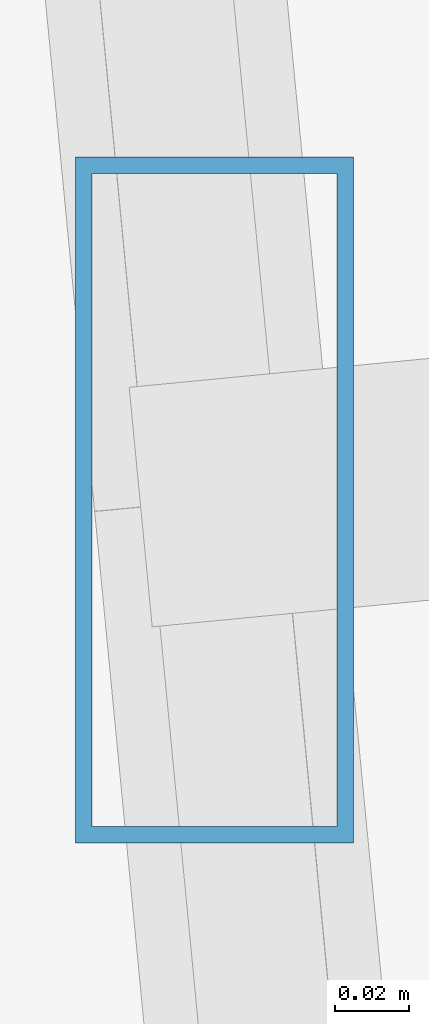
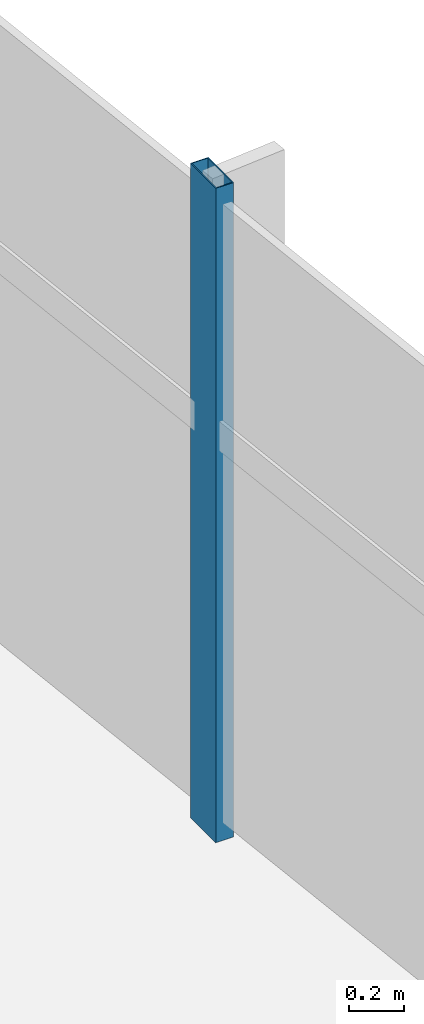
# One storey, part 16 of 27: 1 member, 1 element without a shape of its own.
"""IFC4 building model written with IfcOpenShell, lengths in metres."""

from ifc_helpers import new_model, si_unit, direction, frame, origin, origin_2d, place, context, subcontext, project, spatial, hollow_rectangle, extrude, source, transform, mapped, material, material_profile, profile_set, type_object, type_shapes, element, aggregate, save


model = new_model("IFC4")

# Units and contexts
model_context = context("Model", 3, precision=1e-05, world=origin(), true_north=direction((0.0, 1.0)))
body_context = subcontext(model_context, "Body", "Model", "MODEL_VIEW")
ifc_project = project(units=[si_unit("LENGTHUNIT", "METRE"), si_unit("AREAUNIT", "SQUARE_METRE"), si_unit("VOLUMEUNIT", "CUBIC_METRE"), si_unit("PLANEANGLEUNIT", "RADIAN"), si_unit("MASSUNIT", "GRAM", prefix="KILO")], contexts=[model_context])

# Site, building, storey
site_placement = place(None, origin())
site = spatial("IfcSite", under=ifc_project, at=site_placement, CompositionType="ELEMENT")
building_placement = place(site_placement, origin())
building = spatial("IfcBuilding", under=site, at=building_placement, Name="Astriad Promenade Condominiums", CompositionType="ELEMENT")
storey_placement = place(building_placement, frame((0.0, 0.0, 116.199951171875)))
storey = spatial("IfcBuildingStorey", under=building, at=storey_placement, Name="L33", CompositionType="ELEMENT", Elevation=116.199951171875)

# Curtain wall, member
ifc_material_1 = material(Name="Anodised aluminium Black Dark Glass Unitised", Category="aluminium")
curtain_wall_type = type_object("IfcCurtainWallType", Name="CW-B2-DARK", PredefinedType="USERDEFINED", material=ifc_material_1)
curtain_wall_placement = place(storey_placement, origin())
curtain_wall = element("IfcCurtainWall", 1, at=curtain_wall_placement, inside=storey, type_object=curtain_wall_type, Name="CW-L33-E", ObjectType="UNITISED_CURTAIN_WALL", PredefinedType="USERDEFINED")
ifc_material_2 = material(Name="Anodised aluminium 6063-T6 Black", Category="aluminium")
ifc_material_profile = material_profile(ifc_material_2, hollow_rectangle(XDim=0.074951171875, YDim=0.18505859375, WallThickness=0.00439453125, at=origin_2d()), Name="ALU-MUL-75X185")
ifc_profile_set = profile_set([ifc_material_profile], Name="Anodised aluminium 6063-T6 Black")
member_type = type_object("IfcMemberType", Name="MUL-ALU-MUL-75X185", PredefinedType="MULLION", material=ifc_profile_set)
shared_shape = source(origin(), body_context, "Body", "SweptSolid", [
    extrude(hollow_rectangle(XDim=0.074951171875, YDim=0.18505859375, WallThickness=0.00439453125, at=origin_2d()), origin(), (0.0, 0.0, 1.0), 2.900146484375),
])
type_shapes(member_type, [shared_shape])
member_placement = place(storey_placement, frame((68.972900390625, 16.6552734375, 0.0), z_axis=(0.0, 0.0, 1.0), x_axis=(1.0, 0.0, 0.0)))
member = element("IfcMember", 2, at=member_placement, type_object=member_type, Name="CW-L33-E-MUL-02", PredefinedType="MULLION", context=body_context, shape_type="MappedRepresentation", body=[
    mapped(shared_shape, transform((0.0, 0.0, 0.0), scale=1.0)),
])
aggregate(curtain_wall, [member])

save(model, "model.ifc")
